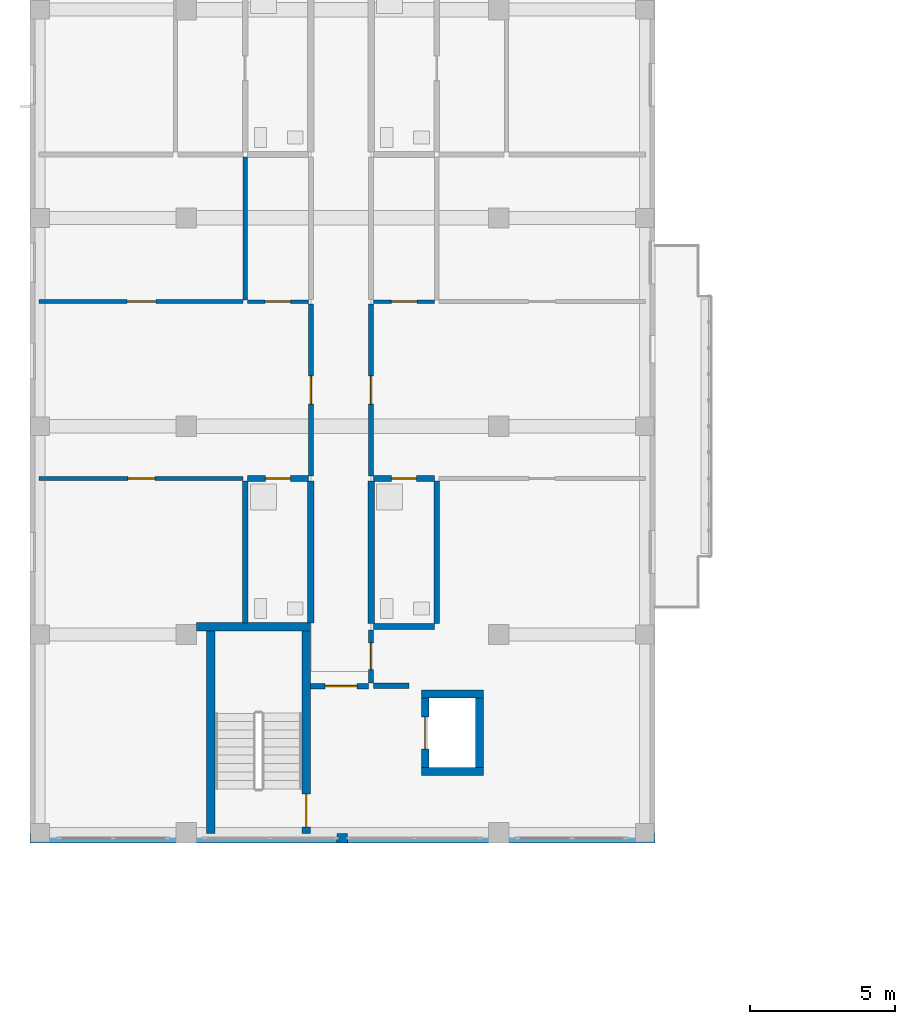
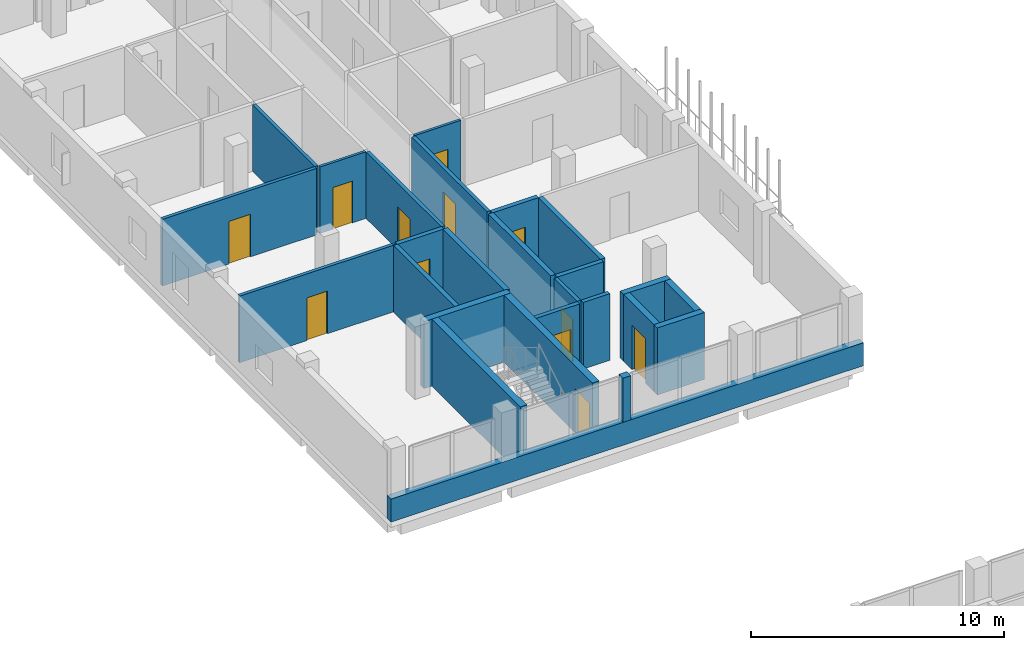
# One storey, part 41 of 73: 26 walls, 12 doors, 12 openings.
"""IFC4 building model written with IfcOpenShell, lengths in metres."""

from ifc_helpers import new_model, si_unit, derived_unit, direction, frame, frame_2d, origin, place, context, subcontext, project, spatial, rectangle, extrude, material, layer, layer_set, type_object, element, fill, save


model = new_model("IFC4")

# Units and contexts
model_context = context("Model", 3, precision=1e-05, world=origin(), true_north=direction((0.0, 1.0)))
body_context = subcontext(model_context, "Body", "Model", "MODEL_VIEW")
ifc_project = project(units=[si_unit("LENGTHUNIT", "METRE"), si_unit("AREAUNIT", "SQUARE_METRE"), si_unit("VOLUMEUNIT", "CUBIC_METRE"), si_unit("PLANEANGLEUNIT", "RADIAN"), si_unit("MASSUNIT", "GRAM", prefix="KILO"), derived_unit("THERMALTRANSMITTANCEUNIT", [(si_unit("MASSUNIT", "GRAM", prefix="KILO"), 1), (si_unit("TIMEUNIT", "SECOND"), -3), (si_unit("THERMODYNAMICTEMPERATUREUNIT", "KELVIN"), -1)])], contexts=[model_context])

# Site, building, storey
site_placement = place(None, origin())
site = spatial("IfcSite", under=ifc_project, at=site_placement, CompositionType="ELEMENT")
building_placement = place(site_placement, origin())
building = spatial("IfcBuilding", under=site, at=building_placement, Name="Ochrekiln Boulevard Commons", CompositionType="ELEMENT")
storey_placement = place(building_placement, frame((0.0, 0.0, 8.574951171875)))
storey = spatial("IfcBuildingStorey", under=building, at=storey_placement, Name="L02", CompositionType="ELEMENT", Elevation=8.574951171875)

# Walls
ifc_material_1 = material(Name="Desert ochre clinker brick masonry ASTM C216 Grade SW", Category="masonry")
ifc_layer_1 = layer(ifc_material_1, 0.320068359375)
ifc_layer_set_1 = layer_set([ifc_layer_1], Name="Desert ochre clinker brick masonry ASTM C216 Grade SW")
wall_type_1 = type_object("IfcWallType", Name="WL-EXT-OCHRE-320", PredefinedType="SOLIDWALL", material=ifc_layer_set_1)
wall_1_placement = place(storey_placement, frame((0.0, 68.56005859375, 0.0), z_axis=(0.0, 0.0, 1.0), x_axis=(1.0, 0.0, 0.0)))
element("IfcWall", 1, at=wall_1_placement, inside=storey, type_object=wall_type_1, Name="Block A L02 Courtyard Gable Sill Wall", PredefinedType="SOLIDWALL", context=body_context, shape_type="SweptSolid", body=[
    extrude(rectangle(XDim=21.60009765625, YDim=0.320068359375, at=frame_2d((10.800048828125, 0.0))), origin(), (0.0, 0.0, 1.0), 1.110107421875),
])
wall_2_placement = place(storey_placement, frame((10.6201171875, 68.56005859375, 1.110107421875), z_axis=(0.0, 0.0, 1.0), x_axis=(1.0, 0.0, 0.0)))
element("IfcWall", 2, at=wall_2_placement, inside=storey, type_object=wall_type_1, Name="Block A L02 Courtyard Gable Mullion Pier", PredefinedType="SOLIDWALL", context=body_context, shape_type="SweptSolid", body=[
    extrude(rectangle(XDim=0.35986328125, YDim=0.320068359375, at=frame_2d((0.179931640625, 0.0))), origin(), (0.0, 0.0, 1.0), 2.1298828125),
])
ifc_material_2 = material(Name="Moisture-resistant cementitious tile backer wall")
ifc_layer_2 = layer(ifc_material_2, 0.199951171875)
ifc_layer_set_2 = layer_set([ifc_layer_2], Name="Moisture-resistant cementitious tile backer wall")
wall_type_2 = type_object("IfcWallType", Name="WL-PLM-200", PredefinedType="PLUMBINGWALL", material=ifc_layer_set_2)
wall_3_placement = place(storey_placement, frame((11.8720703125, 75.875, 0.0), z_axis=(0.0, 0.0, 1.0), x_axis=(1.0, 0.0, 0.0)))
element("IfcWall", 3, at=wall_3_placement, inside=storey, type_object=wall_type_2, Name="L02 Interior Wall W-PW200", PredefinedType="PLUMBINGWALL", context=body_context, shape_type="SweptSolid", body=[
    extrude(rectangle(XDim=2.10791015625, YDim=0.199951171875, at=frame_2d((1.053955078125, 0.0))), origin(), (0.0, 0.0, 1.0), 3.219970703125),
])

# Wall, opening, door
wall_4_placement = place(storey_placement, frame((7.52001953125, 80.991943359375, 0.0), z_axis=(0.0, 0.0, 1.0), x_axis=(1.0, 0.0, 0.0)))
wall_4 = element("IfcWall", 4, at=wall_4_placement, inside=storey, type_object=wall_type_2, Name="L02 Interior Wall W-PW200", PredefinedType="PLUMBINGWALL", context=body_context, shape_type="SweptSolid", body=[
    extrude(rectangle(XDim=2.10791015625, YDim=0.199951171875, at=frame_2d((1.053955078125, 0.0))), origin(), (0.0, 0.0, 1.0), 3.219970703125),
])
opening_1_placement = place(wall_4_placement, frame((0.6201171875, 0.0, 0.0)))
opening_1 = element("IfcOpeningElement", 5, at=opening_1_placement, cuts=wall_4, Name="Opening D-L02-314", PredefinedType="OPENING", context=body_context, shape_type="SweptSolid", body=[
    extrude(rectangle(XDim=0.860107421875, YDim=2.0, at=frame_2d((0.43017578125, 1.0))), frame((0.0, 0.10986328125, 0.0), z_axis=(0.0, -1.0, 0.0), x_axis=(1.0, 0.0, 0.0)), (0.0, 0.0, 1.0), 0.219970703125),
])
ifc_material_3 = material(Name="Solid core architectural oak door leaf")
door_type_1 = type_object("IfcDoorType", Name="DR-INT-BTH-086", OperationType="NOTDEFINED", PredefinedType="DOOR", material=ifc_material_3)
door_1_placement = place(opening_1_placement, frame((0.860107421875, 0.0, 0.0), z_axis=(0.0, 0.0, 1.0), x_axis=(-1.0, 0.0, 0.0)))
door_1 = element("IfcDoor", 6, at=door_1_placement, inside=storey, type_object=door_type_1, Name="L02 Interior Door to Accessible Apartment Bathroom", OperationType="SINGLE_SWING_RIGHT", OverallHeight=2.0, OverallWidth=0.860107421875, PredefinedType="DOOR", context=body_context, shape_type="SweptSolid", body=[
    extrude(rectangle(XDim=0.860107421875, YDim=2.0, at=frame_2d((0.43017578125, 1.0))), frame((0.0, 0.02490234375, 0.0), z_axis=(0.0, -1.0, 0.0), x_axis=(1.0, 0.0, 0.0)), (0.0, 0.0, 1.0), 0.050048828125),
])
fill(opening_1, door_1)

# Wall
wall_5_placement = place(storey_placement, frame((7.43994140625, 76.0, 0.0), z_axis=(0.0, 0.0, 1.0), x_axis=(0.0, 1.0, 0.0)))
element("IfcWall", 7, at=wall_5_placement, inside=storey, type_object=wall_type_2, Name="L02 Interior Wall W-PW200", PredefinedType="PLUMBINGWALL", context=body_context, shape_type="SweptSolid", body=[
    extrude(rectangle(XDim=4.912109375, YDim=0.199951171875, at=frame_2d((2.4560546875, 0.0))), origin(), (0.0, 0.0, 1.0), 3.219970703125),
])

# Wall, opening, door
wall_6_placement = place(storey_placement, frame((11.8720703125, 80.991943359375, 0.0), z_axis=(0.0, 0.0, 1.0), x_axis=(1.0, 0.0, 0.0)))
wall_6 = element("IfcWall", 8, at=wall_6_placement, inside=storey, type_object=wall_type_2, Name="L02 Interior Wall W-PW200", PredefinedType="PLUMBINGWALL", context=body_context, shape_type="SweptSolid", body=[
    extrude(rectangle(XDim=2.10791015625, YDim=0.199951171875, at=frame_2d((1.053955078125, 0.0))), origin(), (0.0, 0.0, 1.0), 3.219970703125),
])
opening_2_placement = place(wall_6_placement, frame((0.6279296875, 0.0, 0.0)))
opening_2 = element("IfcOpeningElement", 9, at=opening_2_placement, cuts=wall_6, Name="Opening D-L02-325", PredefinedType="OPENING", context=body_context, shape_type="SweptSolid", body=[
    extrude(rectangle(XDim=0.860107421875, YDim=2.0, at=frame_2d((0.43017578125, 1.0))), frame((0.0, 0.10986328125, 0.0), z_axis=(0.0, -1.0, 0.0), x_axis=(1.0, 0.0, 0.0)), (0.0, 0.0, 1.0), 0.219970703125),
])
door_2_placement = place(opening_2_placement, frame((0.860107421875, 0.0, 0.0), z_axis=(0.0, 0.0, 1.0), x_axis=(-1.0, 0.0, 0.0)))
door_2 = element("IfcDoor", 10, at=door_2_placement, inside=storey, type_object=door_type_1, Name="L02 Interior Door to Apartment Bathroom", OperationType="SINGLE_SWING_LEFT", OverallHeight=2.0, OverallWidth=0.860107421875, PredefinedType="DOOR", context=body_context, shape_type="SweptSolid", body=[
    extrude(rectangle(XDim=0.860107421875, YDim=2.0, at=frame_2d((0.43017578125, 1.0))), frame((0.0, 0.02490234375, 0.0), z_axis=(0.0, -1.0, 0.0), x_axis=(1.0, 0.0, 0.0)), (0.0, 0.0, 1.0), 0.050048828125),
])
fill(opening_2, door_2)

# Walls
wall_7_placement = place(storey_placement, frame((14.06005859375, 75.97509765625, 0.0), z_axis=(0.0, 0.0, 1.0), x_axis=(0.0, 1.0, 0.0)))
element("IfcWall", 11, at=wall_7_placement, inside=storey, type_object=wall_type_2, Name="L02 Interior Wall W-PW200", PredefinedType="PLUMBINGWALL", context=body_context, shape_type="SweptSolid", body=[
    extrude(rectangle(XDim=4.93701171875, YDim=0.199951171875, at=frame_2d((2.468505859375, 0.0))), origin(), (0.0, 0.0, 1.0), 3.219970703125),
])
ifc_layer_3 = layer(ifc_material_2, 0.219970703125)
ifc_layer_set_3 = layer_set([ifc_layer_3], Name="Moisture-resistant cementitious tile backer wall")
wall_type_3 = type_object("IfcWallType", Name="WL-PLM-220", PredefinedType="PLUMBINGWALL", material=ifc_layer_set_3)
wall_8_placement = place(storey_placement, frame((9.7099609375, 76.0, 0.0), z_axis=(0.0, 0.0, 1.0), x_axis=(0.0, 1.0, 0.0)))
element("IfcWall", 12, at=wall_8_placement, inside=storey, type_object=wall_type_3, Name="L02 Interior Wall W-PW220", PredefinedType="PLUMBINGWALL", context=body_context, shape_type="SweptSolid", body=[
    extrude(rectangle(XDim=4.912109375, YDim=0.219970703125, at=frame_2d((2.4560546875, 0.0))), origin(), (0.0, 0.0, 1.0), 3.219970703125),
])
wall_9_placement = place(storey_placement, frame((11.7900390625, 75.97509765625, 0.0), z_axis=(0.0, 0.0, 1.0), x_axis=(0.0, 1.0, 0.0)))
element("IfcWall", 13, at=wall_9_placement, inside=storey, type_object=wall_type_3, Name="L02 Interior Wall W-PW220", PredefinedType="PLUMBINGWALL", context=body_context, shape_type="SweptSolid", body=[
    extrude(rectangle(XDim=4.93701171875, YDim=0.219970703125, at=frame_2d((2.468505859375, 0.0))), origin(), (0.0, 0.0, 1.0), 3.219970703125),
])

# Wall, opening, door
ifc_material_4 = material(Name="Fire-rated Type X gypsum board on steel studs", Category="steel")
ifc_layer_4 = layer(ifc_material_4, 0.1650390625)
ifc_layer_set_4 = layer_set([ifc_layer_4], Name="Fire-rated Type X gypsum board on steel studs")
wall_type_4 = type_object("IfcWallType", Name="WL-PT-CORR-165", PredefinedType="PARTITIONING", material=ifc_layer_set_4)
wall_10_placement = place(storey_placement, frame((11.7900390625, 73.929931640625, 0.0), z_axis=(0.0, 0.0, 1.0), x_axis=(0.0, 1.0, 0.0)))
wall_10 = element("IfcWall", 14, at=wall_10_placement, inside=storey, type_object=wall_type_4, Name="L02 Interior Wall W-PC165", PredefinedType="PARTITIONING", context=body_context, shape_type="SweptSolid", body=[
    extrude(rectangle(XDim=1.820068359375, YDim=0.1650390625, at=frame_2d((0.91015625, 0.0))), origin(), (0.0, 0.0, 1.0), 3.219970703125),
])
opening_3_placement = place(wall_10_placement, frame((0.4599609375, 0.0, 0.0)))
opening_3 = element("IfcOpeningElement", 15, at=opening_3_placement, cuts=wall_10, Name="Opening D-L02-309", PredefinedType="OPENING", context=body_context, shape_type="SweptSolid", body=[
    extrude(rectangle(XDim=0.919921875, YDim=2.0400390625, at=frame_2d((0.4599609375, 1.02001953125))), frame((0.0, 0.092529296875, 0.0), z_axis=(0.0, -1.0, 0.0), x_axis=(1.0, 0.0, 0.0)), (0.0, 0.0, 1.0), 0.18505859375),
])
ifc_material_5 = material(Name="Hollow metal fire-rated steel door assembly", Category="steel")
door_type_2 = type_object("IfcDoorType", Name="DR-SRV-90", OperationType="NOTDEFINED", PredefinedType="DOOR", material=ifc_material_5)
door_3_placement = place(opening_3_placement, frame((0.919921875, 0.0, 0.0), z_axis=(0.0, 0.0, 1.0), x_axis=(-1.0, 0.0, 0.0)))
door_3 = element("IfcDoor", 16, at=door_3_placement, inside=storey, type_object=door_type_2, Name="L02 Interior Door to Hydronic and Electrical Riser Room", OperationType="SINGLE_SWING_LEFT", OverallHeight=2.0400390625, OverallWidth=0.919921875, PredefinedType="DOOR", context=body_context, shape_type="SweptSolid", body=[
    extrude(rectangle(XDim=0.919921875, YDim=2.0400390625, at=frame_2d((0.4599609375, 1.02001953125))), frame((0.0, 0.02490234375, 0.0), z_axis=(0.0, -1.0, 0.0), x_axis=(1.0, 0.0, 0.0)), (0.0, 0.0, 1.0), 0.050048828125),
])
fill(opening_3, door_3)

wall_11_placement = place(storey_placement, frame((9.7099609375, 81.072021484375, 0.0), z_axis=(0.0, 0.0, 1.0), x_axis=(0.0, 1.0, 0.0)))
wall_11 = element("IfcWall", 17, at=wall_11_placement, inside=storey, type_object=wall_type_4, Name="L02 Interior Wall W-PC165", PredefinedType="PARTITIONING", context=body_context, shape_type="SweptSolid", body=[
    extrude(rectangle(XDim=5.9580078125, YDim=0.1650390625, at=frame_2d((2.97900390625, 0.0))), origin(), (0.0, 0.0, 1.0), 3.219970703125),
])
opening_4_placement = place(wall_11_placement, frame((2.489013671875, 0.0, 0.0)))
opening_4 = element("IfcOpeningElement", 18, at=opening_4_placement, cuts=wall_11, Name="Opening D-L02-310", PredefinedType="OPENING", context=body_context, shape_type="SweptSolid", body=[
    extrude(rectangle(XDim=0.97998046875, YDim=2.080078125, at=frame_2d((0.489990234375, 1.0400390625))), frame((0.0, 0.092529296875, 0.0), z_axis=(0.0, -1.0, 0.0), x_axis=(1.0, 0.0, 0.0)), (0.0, 0.0, 1.0), 0.18505859375),
])
door_type_3 = type_object("IfcDoorType", Name="DR-APT-60", OperationType="NOTDEFINED", PredefinedType="DOOR", material=ifc_material_3)
door_4_placement = place(opening_4_placement, origin())
door_4 = element("IfcDoor", 19, at=door_4_placement, inside=storey, type_object=door_type_3, Name="L02 Interior Door to Two-Bedroom Apartment Living Room", OperationType="SINGLE_SWING_RIGHT", OverallHeight=2.080078125, OverallWidth=0.97998046875, PredefinedType="DOOR", context=body_context, shape_type="SweptSolid", body=[
    extrude(rectangle(XDim=0.97998046875, YDim=2.080078125, at=frame_2d((0.489990234375, 1.0400390625))), frame((0.0, 0.02490234375, 0.0), z_axis=(0.0, -1.0, 0.0), x_axis=(1.0, 0.0, 0.0)), (0.0, 0.0, 1.0), 0.050048828125),
])
fill(opening_4, door_4)

wall_12_placement = place(storey_placement, frame((11.7900390625, 81.072021484375, 0.0), z_axis=(0.0, 0.0, 1.0), x_axis=(0.0, 1.0, 0.0)))
wall_12 = element("IfcWall", 20, at=wall_12_placement, inside=storey, type_object=wall_type_4, Name="L02 Interior Wall W-PC165", PredefinedType="PARTITIONING", context=body_context, shape_type="SweptSolid", body=[
    extrude(rectangle(XDim=5.9580078125, YDim=0.1650390625, at=frame_2d((2.97900390625, 0.0))), origin(), (0.0, 0.0, 1.0), 3.219970703125),
])
opening_5_placement = place(wall_12_placement, frame((2.489013671875, 0.0, 0.0)))
opening_5 = element("IfcOpeningElement", 21, at=opening_5_placement, cuts=wall_12, Name="Opening D-L02-312", PredefinedType="OPENING", context=body_context, shape_type="SweptSolid", body=[
    extrude(rectangle(XDim=0.97998046875, YDim=2.080078125, at=frame_2d((0.489990234375, 1.0400390625))), frame((0.0, 0.092529296875, 0.0), z_axis=(0.0, -1.0, 0.0), x_axis=(1.0, 0.0, 0.0)), (0.0, 0.0, 1.0), 0.18505859375),
])
door_5_placement = place(opening_5_placement, frame((0.97998046875, 0.0, 0.0), z_axis=(0.0, 0.0, 1.0), x_axis=(-1.0, 0.0, 0.0)))
door_5 = element("IfcDoor", 22, at=door_5_placement, inside=storey, type_object=door_type_3, Name="L02 Interior Door to Two-Bedroom Apartment Living Room", OperationType="SINGLE_SWING_RIGHT", OverallHeight=2.080078125, OverallWidth=0.97998046875, PredefinedType="DOOR", context=body_context, shape_type="SweptSolid", body=[
    extrude(rectangle(XDim=0.97998046875, YDim=2.080078125, at=frame_2d((0.489990234375, 1.0400390625))), frame((0.0, 0.02490234375, 0.0), z_axis=(0.0, -1.0, 0.0), x_axis=(1.0, 0.0, 0.0)), (0.0, 0.0, 1.0), 0.050048828125),
])
fill(opening_5, door_5)

# Wall
ifc_layer_5 = layer(ifc_material_4, 0.18994140625)
ifc_layer_set_5 = layer_set([ifc_layer_5], Name="Fire-rated Type X gypsum board on steel studs")
wall_type_5 = type_object("IfcWallType", Name="WL-PT-LBY-190", PredefinedType="PARTITIONING", material=ifc_layer_set_5)
wall_13_placement = place(storey_placement, frame((11.8798828125, 73.8349609375, 0.0), z_axis=(0.0, 0.0, 1.0), x_axis=(1.0, 0.0, 0.0)))
element("IfcWall", 23, at=wall_13_placement, inside=storey, type_object=wall_type_5, Name="L02 Interior Wall W-PL190", PredefinedType="PARTITIONING", context=body_context, shape_type="SweptSolid", body=[
    extrude(rectangle(XDim=1.22021484375, YDim=0.18994140625, at=frame_2d((0.610107421875, 0.0))), origin(), (0.0, 0.0, 1.0), 3.219970703125),
])

# Wall, opening, door
wall_14_placement = place(storey_placement, frame((9.699951171875, 73.820068359375, 0.0), z_axis=(0.0, 0.0, 1.0), x_axis=(1.0, 0.0, 0.0)))
wall_14 = element("IfcWall", 24, at=wall_14_placement, inside=storey, type_object=wall_type_5, Name="L02 Interior Wall W-PL190", PredefinedType="PARTITIONING", context=body_context, shape_type="SweptSolid", body=[
    extrude(rectangle(XDim=2.0, YDim=0.18994140625, at=frame_2d((1.0, 0.0))), origin(), (0.0, 0.0, 1.0), 3.219970703125),
])
opening_6_placement = place(wall_14_placement, frame((0.5, 0.0, 0.0)))
opening_6 = element("IfcOpeningElement", 25, at=opening_6_placement, cuts=wall_14, Name="Opening D-L02-307", PredefinedType="OPENING", context=body_context, shape_type="SweptSolid", body=[
    extrude(rectangle(XDim=1.10009765625, YDim=2.1201171875, at=frame_2d((0.550048828125, 1.06005859375))), frame((0.0, 0.10498046875, 0.0), z_axis=(0.0, -1.0, 0.0), x_axis=(1.0, 0.0, 0.0)), (0.0, 0.0, 1.0), 0.2099609375),
])
door_type_4 = type_object("IfcDoorType", Name="DR-LOBBY-60", OperationType="NOTDEFINED", PredefinedType="DOOR", material=ifc_material_5)
door_6_placement = place(opening_6_placement, frame((1.10009765625, 0.0, 0.0), z_axis=(0.0, 0.0, 1.0), x_axis=(-1.0, 0.0, 0.0)))
door_6 = element("IfcDoor", 26, at=door_6_placement, inside=storey, type_object=door_type_4, Name="L02 Interior Door to Fire Service Access Elevator Lobby", OperationType="SINGLE_SWING_LEFT", OverallHeight=2.1201171875, OverallWidth=1.10009765625, PredefinedType="DOOR", context=body_context, shape_type="SweptSolid", body=[
    extrude(rectangle(XDim=1.10009765625, YDim=2.1201171875, at=frame_2d((0.550048828125, 1.06005859375))), frame((0.0, 0.02490234375, 0.0), z_axis=(0.0, -1.0, 0.0), x_axis=(1.0, 0.0, 0.0)), (0.0, 0.0, 1.0), 0.050048828125),
])
fill(opening_6, door_6)

ifc_layer_6 = layer(ifc_material_4, 0.1201171875)
ifc_layer_set_6 = layer_set([ifc_layer_6], Name="Fire-rated Type X gypsum board on steel studs")
wall_type_6 = type_object("IfcWallType", Name="WL-PT-LGT-120", PredefinedType="PARTITIONING", material=ifc_layer_set_6)
wall_15_placement = place(storey_placement, frame((7.52001953125, 87.110107421875, 0.0), z_axis=(0.0, 0.0, 1.0), x_axis=(1.0, 0.0, 0.0)))
wall_15 = element("IfcWall", 27, at=wall_15_placement, inside=storey, type_object=wall_type_6, Name="L02 Interior Wall W-PL120", PredefinedType="PARTITIONING", context=body_context, shape_type="SweptSolid", body=[
    extrude(rectangle(XDim=2.10791015625, YDim=0.1201171875, at=frame_2d((1.053955078125, 0.0))), origin(), (0.0, 0.0, 1.0), 3.219970703125),
])
opening_7_placement = place(wall_15_placement, frame((0.610107421875, 0.0, 0.0)))
opening_7 = element("IfcOpeningElement", 28, at=opening_7_placement, cuts=wall_15, Name="Opening D-L02-315", PredefinedType="OPENING", context=body_context, shape_type="SweptSolid", body=[
    extrude(rectangle(XDim=0.8798828125, YDim=2.02001953125, at=frame_2d((0.43994140625, 1.010009765625))), frame((0.0, 0.070068359375, 0.0), z_axis=(0.0, -1.0, 0.0), x_axis=(1.0, 0.0, 0.0)), (0.0, 0.0, 1.0), 0.14013671875),
])
door_type_5 = type_object("IfcDoorType", Name="DR-INT-KIT-088", OperationType="NOTDEFINED", PredefinedType="DOOR", material=ifc_material_3)
door_7_placement = place(opening_7_placement, origin())
door_7 = element("IfcDoor", 29, at=door_7_placement, inside=storey, type_object=door_type_5, Name="L02 Interior Door to Apartment Kitchen", OperationType="SINGLE_SWING_LEFT", OverallHeight=2.02001953125, OverallWidth=0.8798828125, PredefinedType="DOOR", context=body_context, shape_type="SweptSolid", body=[
    extrude(rectangle(XDim=0.8798828125, YDim=2.02001953125, at=frame_2d((0.43994140625, 1.010009765625))), frame((0.0, 0.02490234375, 0.0), z_axis=(0.0, -1.0, 0.0), x_axis=(1.0, 0.0, 0.0)), (0.0, 0.0, 1.0), 0.050048828125),
])
fill(opening_7, door_7)

wall_16_placement = place(storey_placement, frame((11.8720703125, 87.110107421875, 0.0), z_axis=(0.0, 0.0, 1.0), x_axis=(1.0, 0.0, 0.0)))
wall_16 = element("IfcWall", 30, at=wall_16_placement, inside=storey, type_object=wall_type_6, Name="L02 Interior Wall W-PL120", PredefinedType="PARTITIONING", context=body_context, shape_type="SweptSolid", body=[
    extrude(rectangle(XDim=2.10791015625, YDim=0.1201171875, at=frame_2d((1.053955078125, 0.0))), origin(), (0.0, 0.0, 1.0), 3.219970703125),
])
opening_8_placement = place(wall_16_placement, frame((0.617919921875, 0.0, 0.0)))
opening_8 = element("IfcOpeningElement", 31, at=opening_8_placement, cuts=wall_16, Name="Opening D-L02-326", PredefinedType="OPENING", context=body_context, shape_type="SweptSolid", body=[
    extrude(rectangle(XDim=0.8798828125, YDim=2.02001953125, at=frame_2d((0.43994140625, 1.010009765625))), frame((0.0, 0.070068359375, 0.0), z_axis=(0.0, -1.0, 0.0), x_axis=(1.0, 0.0, 0.0)), (0.0, 0.0, 1.0), 0.14013671875),
])
door_8_placement = place(opening_8_placement, origin())
door_8 = element("IfcDoor", 32, at=door_8_placement, inside=storey, type_object=door_type_5, Name="L02 Interior Door to Apartment Kitchen", OperationType="SINGLE_SWING_RIGHT", OverallHeight=2.02001953125, OverallWidth=0.8798828125, PredefinedType="DOOR", context=body_context, shape_type="SweptSolid", body=[
    extrude(rectangle(XDim=0.8798828125, YDim=2.02001953125, at=frame_2d((0.43994140625, 1.010009765625))), frame((0.0, 0.02490234375, 0.0), z_axis=(0.0, -1.0, 0.0), x_axis=(1.0, 0.0, 0.0)), (0.0, 0.0, 1.0), 0.050048828125),
])
fill(opening_8, door_8)

ifc_layer_7 = layer(ifc_material_4, 0.14990234375)
ifc_layer_set_7 = layer_set([ifc_layer_7], Name="Fire-rated Type X gypsum board on steel studs")
wall_type_7 = type_object("IfcWallType", Name="WL-PT-STD-150", PredefinedType="PARTITIONING", material=ifc_layer_set_7)
wall_17_placement = place(storey_placement, frame((0.320068359375, 80.991943359375, 0.0), z_axis=(0.0, 0.0, 1.0), x_axis=(1.0, 0.0, 0.0)))
wall_17 = element("IfcWall", 33, at=wall_17_placement, inside=storey, type_object=wall_type_7, Name="L02 Interior Wall W-PS150", PredefinedType="PARTITIONING", context=body_context, shape_type="SweptSolid", body=[
    extrude(rectangle(XDim=7.0400390625, YDim=0.14990234375, at=frame_2d((3.52001953125, 0.0))), origin(), (0.0, 0.0, 1.0), 3.219970703125),
])
opening_9_placement = place(wall_17_placement, frame((3.06494140625, 0.0, 0.0)))
opening_9 = element("IfcOpeningElement", 34, at=opening_9_placement, cuts=wall_17, Name="Opening D-L02-316", PredefinedType="OPENING", context=body_context, shape_type="SweptSolid", body=[
    extrude(rectangle(XDim=0.93994140625, YDim=2.06005859375, at=frame_2d((0.469970703125, 1.030029296875))), frame((0.0, 0.0849609375, 0.0), z_axis=(0.0, -1.0, 0.0), x_axis=(1.0, 0.0, 0.0)), (0.0, 0.0, 1.0), 0.169921875),
])
door_type_6 = type_object("IfcDoorType", Name="DR-INT-BED-094", OperationType="NOTDEFINED", PredefinedType="DOOR", material=ifc_material_3)
door_9_placement = place(opening_9_placement, frame((0.93994140625, 0.0, 0.0), z_axis=(0.0, 0.0, 1.0), x_axis=(-1.0, 0.0, 0.0)))
door_9 = element("IfcDoor", 35, at=door_9_placement, inside=storey, type_object=door_type_6, Name="L02 Interior Door to Primary Apartment Bedroom", OperationType="SINGLE_SWING_RIGHT", OverallHeight=2.06005859375, OverallWidth=0.93994140625, PredefinedType="DOOR", context=body_context, shape_type="SweptSolid", body=[
    extrude(rectangle(XDim=0.93994140625, YDim=2.06005859375, at=frame_2d((0.469970703125, 1.030029296875))), frame((0.0, 0.02490234375, 0.0), z_axis=(0.0, -1.0, 0.0), x_axis=(1.0, 0.0, 0.0)), (0.0, 0.0, 1.0), 0.050048828125),
])
fill(opening_9, door_9)

wall_18_placement = place(storey_placement, frame((0.320068359375, 87.110107421875, 0.0), z_axis=(0.0, 0.0, 1.0), x_axis=(1.0, 0.0, 0.0)))
wall_18 = element("IfcWall", 36, at=wall_18_placement, inside=storey, type_object=wall_type_7, Name="L02 Interior Wall W-PS150", PredefinedType="PARTITIONING", context=body_context, shape_type="SweptSolid", body=[
    extrude(rectangle(XDim=7.0400390625, YDim=0.14990234375, at=frame_2d((3.52001953125, 0.0))), origin(), (0.0, 0.0, 1.0), 3.219970703125),
])
opening_10_placement = place(wall_18_placement, frame((3.034912109375, 0.0, 0.0)))
opening_10 = element("IfcOpeningElement", 37, at=opening_10_placement, cuts=wall_18, Name="Opening D-L02-317", PredefinedType="OPENING", context=body_context, shape_type="SweptSolid", body=[
    extrude(rectangle(XDim=1.0, YDim=2.06005859375, at=frame_2d((0.5, 1.030029296875))), frame((0.0, 0.0849609375, 0.0), z_axis=(0.0, -1.0, 0.0), x_axis=(1.0, 0.0, 0.0)), (0.0, 0.0, 1.0), 0.169921875),
])
door_type_7 = type_object("IfcDoorType", Name="DR-INT-BED-100", OperationType="NOTDEFINED", PredefinedType="DOOR", material=ifc_material_3)
door_10_placement = place(opening_10_placement, origin())
door_10 = element("IfcDoor", 38, at=door_10_placement, inside=storey, type_object=door_type_7, Name="L02 Interior Door to Secondary Apartment Bedroom", OperationType="SINGLE_SWING_LEFT", OverallHeight=2.06005859375, OverallWidth=1.0, PredefinedType="DOOR", context=body_context, shape_type="SweptSolid", body=[
    extrude(rectangle(XDim=1.0, YDim=2.06005859375, at=frame_2d((0.5, 1.030029296875))), frame((0.0, 0.02490234375, 0.0), z_axis=(0.0, -1.0, 0.0), x_axis=(1.0, 0.0, 0.0)), (0.0, 0.0, 1.0), 0.050048828125),
])
fill(opening_10, door_10)

# Walls
wall_19_placement = place(storey_placement, frame((7.43994140625, 87.169921875, 0.0), z_axis=(0.0, 0.0, 1.0), x_axis=(0.0, 1.0, 0.0)))
element("IfcWall", 39, at=wall_19_placement, inside=storey, type_object=wall_type_7, Name="L02 Interior Wall W-PS150", PredefinedType="PARTITIONING", context=body_context, shape_type="SweptSolid", body=[
    extrude(rectangle(XDim=4.93212890625, YDim=0.14990234375, at=frame_2d((2.466064453125, 0.0))), origin(), (0.0, 0.0, 1.0), 3.219970703125),
])
ifc_material_6 = material(Name="Concrete C40/50", Category="concrete")
ifc_layer_8 = layer(ifc_material_6, 0.27490234375)
ifc_layer_set_8 = layer_set([ifc_layer_8], Name="Concrete C40/50")
wall_type_8 = type_object("IfcWallType", Name="WL-SH-275", PredefinedType="SHEAR", material=ifc_layer_set_8)
for number, where, z_axis, x_axis, name in (
    (40, (13.52490234375, 70.862548828125, 0.0), (0.0, 0.0, 1.0), (1.0, 0.0, 0.0), "Elevator FF-A1 L02 Hoistway Shear Wall"),
    (41, (13.52490234375, 73.53759765625, 0.0), (0.0, 0.0, 1.0), (1.0, 0.0, 0.0), "Elevator FF-A1 L02 Hoistway Shear Wall"),
):
    element("IfcWall", number, at=place(storey_placement, frame(where, z_axis=z_axis, x_axis=x_axis)), inside=storey, type_object=wall_type_8, Name=name, PredefinedType="SHEAR", context=body_context, shape_type="SweptSolid", body=[
        extrude(rectangle(XDim=2.150146484375, YDim=0.27490234375, at=frame_2d((1.0751953125, 0.0))), origin(), (0.0, 0.0, 1.0), 3.239990234375),
    ])

# Wall, opening, door
wall_20_placement = place(storey_placement, frame((13.66259765625, 71.0, 0.0), z_axis=(0.0, 0.0, 1.0), x_axis=(0.0, 1.0, 0.0)))
wall_20 = element("IfcWall", 42, at=wall_20_placement, inside=storey, type_object=wall_type_8, Name="Elevator FF-A1 L02 Hoistway Shear Wall", PredefinedType="SHEAR", context=body_context, shape_type="SweptSolid", body=[
    extrude(rectangle(XDim=2.39990234375, YDim=0.27490234375, at=frame_2d((1.199951171875, 0.0))), origin(), (0.0, 0.0, 1.0), 3.239990234375),
])
opening_11_placement = place(wall_20_placement, frame((0.64990234375, 0.0, 0.0)))
opening_11 = element("IfcOpeningElement", 43, at=opening_11_placement, cuts=wall_20, Name="Opening LD-FF-A1-L02", PredefinedType="OPENING", context=body_context, shape_type="SweptSolid", body=[
    extrude(rectangle(XDim=1.10009765625, YDim=2.14990234375, at=frame_2d((0.550048828125, 1.074951171875))), frame((0.0, 0.1474609375, 0.0), z_axis=(0.0, -1.0, 0.0), x_axis=(1.0, 0.0, 0.0)), (0.0, 0.0, 1.0), 0.294921875),
])
ifc_material_7 = material(Name="Brushed stainless steel 316 elevator cab and doors", Category="steel")
door_type_8 = type_object("IfcDoorType", Name="DR-LIFT-LD90", OperationType="SLIDING_TO_LEFT", PredefinedType="DOOR", material=ifc_material_7)
door_11_placement = place(opening_11_placement, origin())
door_11 = element("IfcDoor", 44, at=door_11_placement, inside=storey, type_object=door_type_8, Name="Elevator FF-A1 L02 Sliding Landing Door LD-FF-A1-L02", OperationType="SLIDING_TO_LEFT", OverallHeight=2.14990234375, OverallWidth=1.10009765625, PredefinedType="DOOR", context=body_context, shape_type="SweptSolid", body=[
    extrude(rectangle(XDim=1.10009765625, YDim=2.14990234375, at=frame_2d((0.550048828125, 1.074951171875))), frame((0.0, 0.02490234375, 0.0), z_axis=(0.0, -1.0, 0.0), x_axis=(1.0, 0.0, 0.0)), (0.0, 0.0, 1.0), 0.050048828125),
])
fill(opening_11, door_11)

# Walls
wall_21_placement = place(storey_placement, frame((15.53759765625, 71.0, 0.0), z_axis=(0.0, 0.0, 1.0), x_axis=(0.0, 1.0, 0.0)))
element("IfcWall", 45, at=wall_21_placement, inside=storey, type_object=wall_type_8, Name="Elevator FF-A1 L02 Hoistway Shear Wall", PredefinedType="SHEAR", context=body_context, shape_type="SweptSolid", body=[
    extrude(rectangle(XDim=2.39990234375, YDim=0.27490234375, at=frame_2d((1.199951171875, 0.0))), origin(), (0.0, 0.0, 1.0), 3.239990234375),
])
ifc_layer_9 = layer(ifc_material_6, 0.300048828125)
ifc_layer_set_9 = layer_set([ifc_layer_9], Name="Concrete C40/50")
wall_type_9 = type_object("IfcWallType", Name="WL-SH-300", PredefinedType="SHEAR", material=ifc_layer_set_9)
wall_22_placement = place(storey_placement, frame((5.75, 75.8701171875, 0.0), z_axis=(0.0, 0.0, 1.0), x_axis=(1.0, 0.0, 0.0)))
element("IfcWall", 46, at=wall_22_placement, inside=storey, type_object=wall_type_9, Name="Stair ST-A1 L02 Core Shear Wall N", PredefinedType="SHEAR", context=body_context, shape_type="SweptSolid", body=[
    extrude(rectangle(XDim=3.949951171875, YDim=0.300048828125, at=frame_2d((1.97509765625, 0.0))), origin(), (0.0, 0.0, 1.0), 3.239990234375),
])
wall_23_placement = place(storey_placement, frame((6.25, 68.719970703125, 0.0), z_axis=(0.0, 0.0, 1.0), x_axis=(0.0, 1.0, 0.0)))
element("IfcWall", 47, at=wall_23_placement, inside=storey, type_object=wall_type_9, Name="Stair ST-A1 L02 Core Shear Wall W", PredefinedType="SHEAR", context=body_context, shape_type="SweptSolid", body=[
    extrude(rectangle(XDim=7.0, YDim=0.300048828125, at=frame_2d((3.5, 0.0))), origin(), (0.0, 0.0, 1.0), 3.239990234375),
])

# Wall, opening, door
wall_24_placement = place(storey_placement, frame((9.550048828125, 68.719970703125, 0.0), z_axis=(0.0, 0.0, 1.0), x_axis=(0.0, 1.0, 0.0)))
wall_24 = element("IfcWall", 48, at=wall_24_placement, inside=storey, type_object=wall_type_9, Name="Stair ST-A1 L02 Core Shear Wall E", PredefinedType="SHEAR", context=body_context, shape_type="SweptSolid", body=[
    extrude(rectangle(XDim=7.0, YDim=0.300048828125, at=frame_2d((3.5, 0.0))), origin(), (0.0, 0.0, 1.0), 3.239990234375),
])
opening_12_placement = place(wall_24_placement, frame((0.22509765625, 0.0, 0.0)))
opening_12 = element("IfcOpeningElement", 49, at=opening_12_placement, cuts=wall_24, Name="Opening D-L02-ST-A1", PredefinedType="OPENING", context=body_context, shape_type="SweptSolid", body=[
    extrude(rectangle(XDim=1.14990234375, YDim=2.1201171875, at=frame_2d((0.574951171875, 1.06005859375))), frame((0.0, 0.159912109375, 0.0), z_axis=(0.0, -1.0, 0.0), x_axis=(1.0, 0.0, 0.0)), (0.0, 0.0, 1.0), 0.320068359375),
])
door_type_9 = type_object("IfcDoorType", Name="DR-STAIR-90", OperationType="NOTDEFINED", PredefinedType="DOOR", material=ifc_material_5)
door_12_placement = place(opening_12_placement, origin())
door_12 = element("IfcDoor", 50, at=door_12_placement, inside=storey, type_object=door_type_9, Name="Enclosed Exit Stair ST-A1 L02 Rated Door", OperationType="SINGLE_SWING_RIGHT", OverallHeight=2.1201171875, OverallWidth=1.14990234375, PredefinedType="DOOR", context=body_context, shape_type="SweptSolid", body=[
    extrude(rectangle(XDim=1.14990234375, YDim=2.1201171875, at=frame_2d((0.574951171875, 1.06005859375))), frame((0.0, 0.02490234375, 0.0), z_axis=(0.0, -1.0, 0.0), x_axis=(1.0, 0.0, 0.0)), (0.0, 0.0, 1.0), 0.050048828125),
])
fill(opening_12, door_12)

save(model, "model.ifc")
